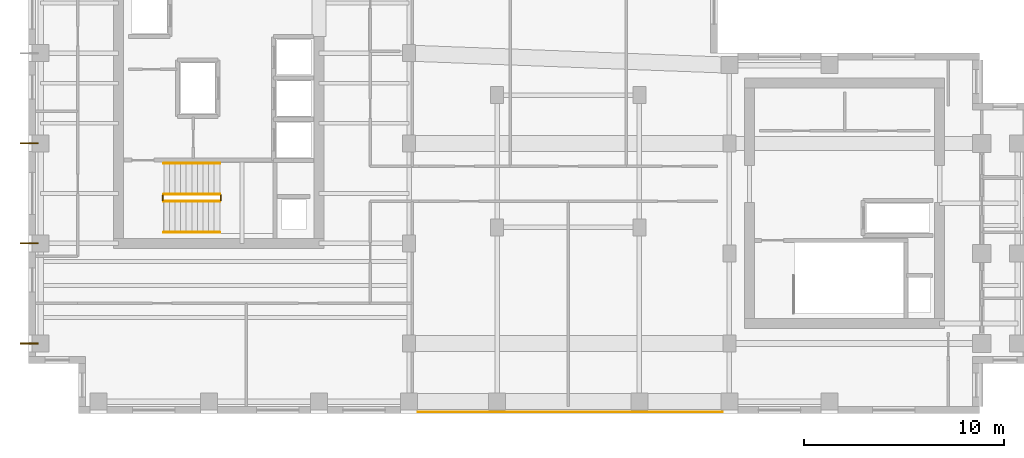
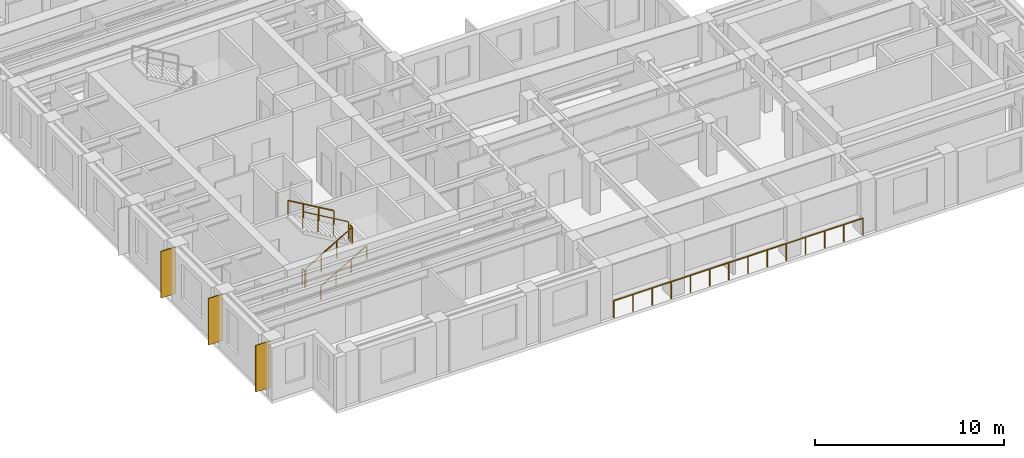
# One storey, part 11 of 13: 7 railings, 3 coverings.
"""IFC4 building model written with IfcOpenShell, lengths in metres."""

import ifcopenshell
import ifcopenshell.guid

model = None  # the IFC model being written
_history = None  # IfcOwnerHistory: only IFC2X3 demands one
_inside = {}  # id of a spatial element -> (the spatial element, [elements in it])
_under = {}  # id of a project, library or spatial element -> (it, [spatial elements below it])
_declared = {}  # id of a project -> (the project, [libraries it declares])
_typed = {}  # id of a type object -> (the type object, [elements of that type])
_made_of = {}  # id of a material, layer set ... -> (it, [elements and type objects made of it])


def new_model(schema):
    """Start an empty IFC model of exactly this schema.

    Asked for "IFC4X3", IfcOpenShell would pick the latest addendum, in which some entities
    have other attributes; the version numbers below select the first issue.
    IFC2X3 requires an IfcOwnerHistory on every rooted entity: one is made here for all.
    """
    global model, _history
    if schema == "IFC4X3":
        model = ifcopenshell.file(schema_version=(4, 3, 0, 0))
    else:
        model = ifcopenshell.file(schema=schema)
    _inside.clear()
    _under.clear()
    _declared.clear()
    _typed.clear()
    _made_of.clear()
    _history = None
    if model.schema == "IFC2X3":
        org = make("IfcOrganization", Name="unknown")
        user = make(
            "IfcPersonAndOrganization",
            ThePerson=make("IfcPerson", FamilyName="unknown"),
            TheOrganization=org,
        )
        app = make(
            "IfcApplication",
            ApplicationDeveloper=org,
            Version="unknown",
            ApplicationFullName="unknown",
            ApplicationIdentifier="unknown",
        )
        _history = make(
            "IfcOwnerHistory",
            OwningUser=user,
            OwningApplication=app,
            ChangeAction="ADDED",
            CreationDate=0,
        )
    return model


def make(cls, **values):
    """One entity of the class cls with the attributes given. An attribute that is None is left unset."""
    return model.create_entity(
        cls, **{name: value for name, value in values.items() if value is not None}
    )


def rooted(cls, **values):
    """An entity with a GlobalId (a new one), such as an element, a storey or a relation."""
    return make(cls, GlobalId=ifcopenshell.guid.new(), OwnerHistory=_history, **values)


def si_unit(unit_type, name, prefix=None):
    """IfcSIUnit, for example si_unit("LENGTHUNIT", "METRE", prefix="MILLI")."""
    return make("IfcSIUnit", UnitType=unit_type, Prefix=prefix, Name=name)


def assignment(units):
    """IfcUnitAssignment: the units of a project."""
    return None if units is None else make("IfcUnitAssignment", Units=units)


def point(xyz):
    """IfcCartesianPoint."""
    return None if xyz is None else make("IfcCartesianPoint", Coordinates=xyz)


def direction(xyz):
    """IfcDirection."""
    return None if xyz is None else make("IfcDirection", DirectionRatios=xyz)


def frame(location, z_axis=None, x_axis=None):
    """IfcAxis2Placement3D, a coordinate frame: its origin and axes. An axis left out is left unset."""
    return make(
        "IfcAxis2Placement3D",
        Location=point(location),
        Axis=direction(z_axis),
        RefDirection=direction(x_axis),
    )


def frame_2d(location, x_axis=None):
    """IfcAxis2Placement2D, a coordinate frame in the plane: its origin and x axis."""
    return make(
        "IfcAxis2Placement2D", Location=point(location), RefDirection=direction(x_axis)
    )


def origin():
    """The frame at (0, 0, 0) with its axes left unset."""
    return frame((0.0, 0.0, 0.0))


def origin_2d():
    """The frame at (0, 0) in the plane with its x axis left unset."""
    return frame_2d((0.0, 0.0))


def place(relative_to, where):
    """IfcLocalPlacement: puts the frame where relative to a parent placement (None: the world)."""
    return make(
        "IfcLocalPlacement", PlacementRelTo=relative_to, RelativePlacement=where
    )


def context(
    kind, dimensions, precision=None, world=None, true_north=None, identifier=None
):
    """IfcGeometricRepresentationContext, for example the 3D "Model" context."""
    return make(
        "IfcGeometricRepresentationContext",
        ContextIdentifier=identifier,
        ContextType=kind,
        CoordinateSpaceDimension=dimensions,
        Precision=precision,
        WorldCoordinateSystem=world,
        TrueNorth=true_north,
    )


def subcontext(parent, identifier, kind, view, scale=None):
    """IfcGeometricRepresentationSubContext, for example "Body" below "Model"."""
    return make(
        "IfcGeometricRepresentationSubContext",
        ContextIdentifier=identifier,
        ContextType=kind,
        ParentContext=parent,
        TargetScale=scale,
        TargetView=view,
    )


def project(units=None, contexts=None):
    """IfcProject with its units and contexts."""
    return rooted(
        "IfcProject",
        Name="project",
        RepresentationContexts=contexts,
        UnitsInContext=assignment(units),
    )


def spatial(cls, under=None, at=None, **own):
    """A site, building, storey or space (cls), placed at a placement, below another one or the project."""
    s = rooted(cls, ObjectPlacement=at, **own)
    if under is not None:
        _under.setdefault(under.id(), (under, []))[1].append(s)
    return s


def profile(cls, at=None, kind="AREA", **sizes):
    """A parametric profile (cls). Its sizes go by their IFC names, for example OverallWidth=200.0."""
    return make(cls, ProfileType=kind, Position=at, **sizes)


def rectangle(**sizes):
    """IfcRectangleProfileDef."""
    return profile("IfcRectangleProfileDef", **sizes)


def circle(**sizes):
    """IfcCircleProfileDef."""
    return profile("IfcCircleProfileDef", **sizes)


def extrude(swept, where, along, depth):
    """IfcExtrudedAreaSolid: the profile swept, set in the frame where, extruded along a direction by depth."""
    return make(
        "IfcExtrudedAreaSolid",
        SweptArea=swept,
        Position=where,
        ExtrudedDirection=direction(along),
        Depth=depth,
    )


def shape(context_of_items, identifier, shape_type, items):
    """IfcShapeRepresentation: the items that make up one representation, for example the "Body"."""
    return make(
        "IfcShapeRepresentation",
        ContextOfItems=context_of_items,
        RepresentationIdentifier=identifier,
        RepresentationType=shape_type,
        Items=items,
    )


def source(mapping_origin, context_of_items, identifier, shape_type, items):
    """IfcRepresentationMap: a shape defined once, which mapped items show again and again."""
    return make(
        "IfcRepresentationMap",
        MappingOrigin=mapping_origin,
        MappedRepresentation=shape(context_of_items, identifier, shape_type, items),
    )


def transform(
    local_origin,
    x_axis=None,
    y_axis=None,
    z_axis=None,
    scale=None,
    scale2=None,
    scale3=None,
    uniform=True,
):
    """IfcCartesianTransformationOperator3D, or its non-uniform kind. x_axis, y_axis, z_axis: its Axis1, 2, 3."""
    if uniform:
        return make(
            "IfcCartesianTransformationOperator3D",
            Axis1=direction(x_axis),
            Axis2=direction(y_axis),
            LocalOrigin=point(local_origin),
            Scale=scale,
            Axis3=direction(z_axis),
        )
    return make(
        "IfcCartesianTransformationOperator3DnonUniform",
        Axis1=direction(x_axis),
        Axis2=direction(y_axis),
        LocalOrigin=point(local_origin),
        Scale=scale,
        Axis3=direction(z_axis),
        Scale2=scale2,
        Scale3=scale3,
    )


def mapped(mapping_source, mapping_target):
    """IfcMappedItem: shows the shape of a source again, moved by a transform."""
    return make(
        "IfcMappedItem", MappingSource=mapping_source, MappingTarget=mapping_target
    )


def material(Name=None, Category=None):
    """IfcMaterial."""
    return make("IfcMaterial", Name=Name, Category=Category)


def layer(
    of_material, thickness, ventilated=None, Name=None, Category=None, Priority=None
):
    """IfcMaterialLayer: one layer of a wall or slab, of a material (None: an air gap)."""
    return make(
        "IfcMaterialLayer",
        Material=of_material,
        LayerThickness=thickness,
        IsVentilated=ventilated,
        Name=Name,
        Category=Category,
        Priority=Priority,
    )


def layer_set(layers, Name=None):
    """IfcMaterialLayerSet."""
    return make("IfcMaterialLayerSet", MaterialLayers=layers, LayerSetName=Name)


def made_of(thing, what):
    """Note that an element or type object is made of a material, layer set ...; save() writes the relation."""
    if what is not None:
        _made_of.setdefault(what.id(), (what, []))[1].append(thing)
    return thing


def type_object(cls, material=None, **own):
    """A type object (cls), such as IfcWallType, which elements share."""
    return made_of(rooted(cls, **own), material)


def element(
    cls,
    number,
    at=None,
    inside=None,
    cuts=None,
    type_object=None,
    material=None,
    context=None,
    identifier="Body",
    shape_type=None,
    held_by="IfcProductDefinitionShape",
    body=None,
    shapes=None,
    **own,
):
    """One element of the class cls, such as IfcWall. Its Tag is "e" and its number.

    at: its placement. inside: the storey or other place that contains it. cuts: it is an
    opening in that element (IfcRelVoidsElement). A single representation is given by context,
    identifier, shape_type and body (its items); several are given by shapes. held_by: the class
    of the entity that holds the representations. save() writes the other relations.
    """
    e = rooted(cls, Tag="e%d" % number, ObjectPlacement=at, **own)
    if body is not None:
        shapes = [shape(context, identifier, shape_type, body)]
    if shapes is not None:
        e.Representation = make(held_by, Representations=shapes)
    if inside is not None:
        _inside.setdefault(inside.id(), (inside, []))[1].append(e)
    if cuts is not None:
        rooted(
            "IfcRelVoidsElement", RelatingBuildingElement=cuts, RelatedOpeningElement=e
        )
    if type_object is not None:
        _typed.setdefault(type_object.id(), (type_object, []))[1].append(e)
    return made_of(e, material)


def aggregate(whole, parts):
    """IfcRelAggregates: a whole, such as a stair, and the parts it consists of."""
    return rooted("IfcRelAggregates", RelatingObject=whole, RelatedObjects=parts)


def save(model, path):
    """Write the relations noted so far, then the file.

    IfcRelAggregates (storeys below a building ...), IfcRelContainedInSpatialStructure (elements
    in a storey), IfcRelDefinesByType, IfcRelAssociatesMaterial and IfcRelDeclares: one each for
    every whole, place, type object, material and project.
    """
    for whole, parts in _under.values():
        aggregate(whole, parts)
    for where, things in _inside.values():
        rooted(
            "IfcRelContainedInSpatialStructure",
            RelatedElements=things,
            RelatingStructure=where,
        )
    for kind, things in _typed.values():
        rooted("IfcRelDefinesByType", RelatedObjects=things, RelatingType=kind)
    for what, things in _made_of.values():
        rooted("IfcRelAssociatesMaterial", RelatedObjects=things, RelatingMaterial=what)
    for by, libraries in _declared.values():
        rooted("IfcRelDeclares", RelatingContext=by, RelatedDefinitions=libraries)
    model.write(path)


model = new_model("IFC4")

# Units and contexts
model_context = context("Model", 3, precision=1e-05, world=origin(), true_north=direction((0.0, 1.0)))
body_context = subcontext(model_context, "Body", "Model", "MODEL_VIEW")
ifc_project = project(units=[si_unit("LENGTHUNIT", "METRE"), si_unit("AREAUNIT", "SQUARE_METRE"), si_unit("VOLUMEUNIT", "CUBIC_METRE"), si_unit("PLANEANGLEUNIT", "RADIAN"), si_unit("MASSUNIT", "GRAM", prefix="KILO")], contexts=[model_context])

# Site, building, storey
site_placement = place(None, origin())
site = spatial("IfcSite", under=ifc_project, at=site_placement, CompositionType="ELEMENT")
building_placement = place(site_placement, origin())
building = spatial("IfcBuilding", under=site, at=building_placement, Name="Kharzan Plaza Tower", CompositionType="ELEMENT")
storey_placement = place(building_placement, frame((0.0, 0.0, 259.199951171875)))
storey = spatial("IfcBuildingStorey", under=building, at=storey_placement, Name="L70", CompositionType="ELEMENT", Elevation=259.199951171875)

# Railings
ifc_material_1 = material(Name="Painted Galvanized Architectural Steel", Category="steel")
ifc_layer_1 = layer(ifc_material_1, 0.074951171875)
ifc_layer_set_1 = layer_set([ifc_layer_1], Name="Painted Galvanized Architectural Steel")
railing_type_1 = type_object("IfcRailingType", Name="RL-GUARD-1120", PredefinedType="BALUSTRADE", material=ifc_layer_set_1)
shared_shape_1 = source(origin(), body_context, "Body", "SweptSolid", [
    extrude(circle(Radius=0.02392578125, at=origin_2d()), frame((0.0, 0.0263671875, 1.09619140625), z_axis=(0.0, 1.0, 0.0), x_axis=(-1.0, 0.0, 0.0)), (0.0, 0.0, 1.0), 0.197021484375),
    extrude(circle(Radius=0.02099609375, at=origin_2d()), origin(), (0.0, 0.0, 1.0), 1.072021484375),
    extrude(circle(Radius=0.02099609375, at=origin_2d()), frame((0.0, 0.25, 0.0)), (0.0, 0.0, 1.0), 1.072021484375),
])
for number, where, name in (
    (1, (9.60009765625, 10.64990234375, 1.800048828125), "L70 ST-1 stair guard 2"),
    (2, (6.699951171875, 10.64990234375, 0.0), "L70 ST-1 stair guard 4"),
):
    element("IfcRailing", number, at=place(storey_placement, frame(where)), inside=storey, type_object=railing_type_1, Name=name, PredefinedType="BALUSTRADE", context=body_context, shape_type="MappedRepresentation", body=[
        mapped(shared_shape_1, transform((0.0, 0.0, 0.0), x_axis=(1.0, 0.0, 0.0), y_axis=(0.0, 1.0, 0.0), z_axis=(0.0, 0.0, 1.0))),
    ])

# Coverings
ifc_material_2 = material(Name="Honed Riyadh Limestone", Category="masonry")
ifc_layer_2 = layer(ifc_material_2, 0.06005859375)
ifc_layer_set_2 = layer_set([ifc_layer_2], Name="Honed Riyadh Limestone")
covering_type = type_object("IfcCoveringType", Name="COV-CLAD-STONE", PredefinedType="CLADDING", material=ifc_layer_set_2)
shared_shape_2 = source(origin(), body_context, "Body", "SweptSolid", [
    extrude(rectangle(XDim=0.06005859375, YDim=0.89990234375, at=origin_2d()), origin(), (0.0, 0.0, 1.0), 3.0),
])
for number, where, z_axis, x_axis, name in (
    (3, (0.02001953125, 13.5, 0.10009765625), (0.0, 0.0, 1.0), (0.0, 1.0, 0.0), "L70 Limestone Pier Rainscreen Cladding TCW-135"),
    (4, (0.02001953125, 3.5, 0.10009765625), (0.0, 0.0, 1.0), (0.0, 1.0, 0.0), "L70 Limestone Pier Rainscreen Cladding TCW-35"),
    (5, (0.02001953125, 8.5, 0.10009765625), (0.0, 0.0, 1.0), (0.0, 1.0, 0.0), "L70 Limestone Pier Rainscreen Cladding TCW-85"),
):
    element("IfcCovering", number, at=place(storey_placement, frame(where, z_axis=z_axis, x_axis=x_axis)), inside=storey, type_object=covering_type, Name=name, PredefinedType="CLADDING", context=body_context, shape_type="MappedRepresentation", body=[
        mapped(shared_shape_2, transform((0.0, 0.0, 0.0), x_axis=(1.0, 0.0, 0.0), y_axis=(0.0, 1.0, 0.0), z_axis=(0.0, 0.0, 1.0))),
    ])

# Railings
shared_shape_3 = source(origin(), body_context, "Body", "SweptSolid", [
    extrude(circle(Radius=0.02392578125, at=origin_2d()), frame((0.02294921875, 0.0, 1.109375), z_axis=(0.863360870873, 0.0, 0.504586966384), x_axis=(0.0, 1.0, 0.0)), (0.0, 0.0, 1.0), 3.190185546875),
    extrude(circle(Radius=0.02099609375, at=origin_2d()), origin(), (0.0, 0.0, 1.0), 1.072021484375),
    extrude(circle(Radius=0.02099609375, at=origin_2d()), frame((0.933349609375, 0.0, 0.54541015625)), (0.0, 0.0, 1.0), 1.072021484375),
    extrude(circle(Radius=0.02099609375, at=origin_2d()), frame((1.86669921875, 0.0, 1.091064453125)), (0.0, 0.0, 1.0), 1.072021484375),
    extrude(circle(Radius=0.02099609375, at=origin_2d()), frame((2.800048828125, 0.0, 1.636474609375)), (0.0, 0.0, 1.0), 1.072021484375),
])
railing_1_placement = place(storey_placement, frame((6.75, 10.60009765625, 0.16357421875)))
element("IfcRailing", 6, at=railing_1_placement, inside=storey, type_object=railing_type_1, Name="L70 ST-1 stair guard 1", PredefinedType="BALUSTRADE", context=body_context, shape_type="MappedRepresentation", body=[
    mapped(shared_shape_3, transform((0.0, 0.0, 0.0), x_axis=(1.0, 0.0, 0.0), y_axis=(0.0, 1.0, 0.0), z_axis=(0.0, 0.0, 1.0))),
])
shared_shape_4 = source(origin(), body_context, "Body", "SweptSolid", [
    extrude(circle(Radius=0.02392578125, at=origin_2d()), frame((-0.02294921875, 0.0, 1.109375), z_axis=(-0.863360870873, 0.0, 0.504586966384), x_axis=(0.0, -1.0, 0.0)), (0.0, 0.0, 1.0), 3.190185546875),
    extrude(circle(Radius=0.02099609375, at=origin_2d()), origin(), (0.0, 0.0, 1.0), 1.072021484375),
    extrude(circle(Radius=0.02099609375, at=origin_2d()), frame((-0.933349609375, 0.0, 0.54541015625)), (0.0, 0.0, 1.0), 1.072021484375),
    extrude(circle(Radius=0.02099609375, at=origin_2d()), frame((-1.86669921875, 0.0, 1.091064453125)), (0.0, 0.0, 1.0), 1.072021484375),
    extrude(circle(Radius=0.02099609375, at=origin_2d()), frame((-2.800048828125, 0.0, 1.636474609375)), (0.0, 0.0, 1.0), 1.072021484375),
])
railing_2_placement = place(storey_placement, frame((9.550048828125, 10.949951171875, 1.963623046875)))
element("IfcRailing", 7, at=railing_2_placement, inside=storey, type_object=railing_type_1, Name="L70 ST-1 stair guard 3", PredefinedType="BALUSTRADE", context=body_context, shape_type="MappedRepresentation", body=[
    mapped(shared_shape_4, transform((0.0, 0.0, 0.0), x_axis=(1.0, 0.0, 0.0), y_axis=(0.0, 1.0, 0.0), z_axis=(0.0, 0.0, 1.0))),
])
ifc_material_3 = material(Name="Brushed Stainless Steel", Category="steel")
ifc_layer_3 = layer(ifc_material_3, 0.050048828125)
ifc_layer_set_3 = layer_set([ifc_layer_3], Name="Brushed Stainless Steel")
railing_type_2 = type_object("IfcRailingType", Name="RL-STAIR-HR920", PredefinedType="HANDRAIL", material=ifc_layer_set_3)
shared_shape_5 = source(origin(), body_context, "Body", "SweptSolid", [
    extrude(circle(Radius=0.02392578125, at=origin_2d()), frame((0.02294921875, 0.0, 0.88916015625), z_axis=(0.863360870873, 0.0, 0.504586966384), x_axis=(0.0, 1.0, 0.0)), (0.0, 0.0, 1.0), 3.190185546875),
    extrude(circle(Radius=0.02099609375, at=origin_2d()), origin(), (0.0, 0.0, 1.0), 0.851806640625),
    extrude(circle(Radius=0.02099609375, at=origin_2d()), frame((0.933349609375, 0.0, 0.54541015625)), (0.0, 0.0, 1.0), 0.851806640625),
    extrude(circle(Radius=0.02099609375, at=origin_2d()), frame((1.86669921875, 0.0, 1.091064453125)), (0.0, 0.0, 1.0), 0.851806640625),
    extrude(circle(Radius=0.02099609375, at=origin_2d()), frame((2.800048828125, 0.0, 1.636474609375)), (0.0, 0.0, 1.0), 0.851806640625),
])
railing_3_placement = place(storey_placement, frame((6.75, 9.050048828125, 0.16357421875)))
element("IfcRailing", 8, at=railing_3_placement, inside=storey, type_object=railing_type_2, Name="L70 ST-1 stair handrail 1", PredefinedType="HANDRAIL", context=body_context, shape_type="MappedRepresentation", body=[
    mapped(shared_shape_5, transform((0.0, 0.0, 0.0), x_axis=(1.0, 0.0, 0.0), y_axis=(0.0, 1.0, 0.0), z_axis=(0.0, 0.0, 1.0))),
])
shared_shape_6 = source(origin(), body_context, "Body", "SweptSolid", [
    extrude(circle(Radius=0.02392578125, at=origin_2d()), frame((-0.02294921875, 0.0, 0.88916015625), z_axis=(-0.863360870873, 0.0, 0.504586966384), x_axis=(0.0, -1.0, 0.0)), (0.0, 0.0, 1.0), 3.190185546875),
    extrude(circle(Radius=0.02099609375, at=origin_2d()), origin(), (0.0, 0.0, 1.0), 0.851806640625),
    extrude(circle(Radius=0.02099609375, at=origin_2d()), frame((-0.933349609375, 0.0, 0.54541015625)), (0.0, 0.0, 1.0), 0.851806640625),
    extrude(circle(Radius=0.02099609375, at=origin_2d()), frame((-1.86669921875, 0.0, 1.091064453125)), (0.0, 0.0, 1.0), 0.851806640625),
    extrude(circle(Radius=0.02099609375, at=origin_2d()), frame((-2.800048828125, 0.0, 1.636474609375)), (0.0, 0.0, 1.0), 0.851806640625),
])
railing_4_placement = place(storey_placement, frame((9.550048828125, 12.5, 1.963623046875)))
element("IfcRailing", 9, at=railing_4_placement, inside=storey, type_object=railing_type_2, Name="L70 ST-1 stair handrail 2", PredefinedType="HANDRAIL", context=body_context, shape_type="MappedRepresentation", body=[
    mapped(shared_shape_6, transform((0.0, 0.0, 0.0), x_axis=(1.0, 0.0, 0.0), y_axis=(0.0, 1.0, 0.0), z_axis=(0.0, 0.0, 1.0))),
])
shared_shape_7 = source(origin(), body_context, "Body", "SweptSolid", [
    extrude(circle(Radius=0.02392578125, at=origin_2d()), frame((0.0263671875, 0.0, 1.09619140625), z_axis=(1.0, 0.0, 0.0), x_axis=(0.0, 1.0, 0.0)), (0.0, 0.0, 1.0), 15.14697265625),
    extrude(circle(Radius=0.02099609375, at=origin_2d()), origin(), (0.0, 0.0, 1.0), 1.072021484375),
    extrude(circle(Radius=0.02099609375, at=origin_2d()), frame((1.169189453125, 0.0, 0.0)), (0.0, 0.0, 1.0), 1.072021484375),
    extrude(circle(Radius=0.02099609375, at=origin_2d()), frame((2.33837890625, 0.0, 0.0)), (0.0, 0.0, 1.0), 1.072021484375),
    extrude(circle(Radius=0.02099609375, at=origin_2d()), frame((3.507568359375, 0.0, 0.0)), (0.0, 0.0, 1.0), 1.072021484375),
    extrude(circle(Radius=0.02099609375, at=origin_2d()), frame((4.677001953125, 0.0, 0.0)), (0.0, 0.0, 1.0), 1.072021484375),
    extrude(circle(Radius=0.02099609375, at=origin_2d()), frame((5.84619140625, 0.0, 0.0)), (0.0, 0.0, 1.0), 1.072021484375),
    extrude(circle(Radius=0.02099609375, at=origin_2d()), frame((7.015380859375, 0.0, 0.0)), (0.0, 0.0, 1.0), 1.072021484375),
    extrude(circle(Radius=0.02099609375, at=origin_2d()), frame((8.1845703125, 0.0, 0.0)), (0.0, 0.0, 1.0), 1.072021484375),
    extrude(circle(Radius=0.02099609375, at=origin_2d()), frame((9.353759765625, 0.0, 0.0)), (0.0, 0.0, 1.0), 1.072021484375),
    extrude(circle(Radius=0.02099609375, at=origin_2d()), frame((10.52294921875, 0.0, 0.0)), (0.0, 0.0, 1.0), 1.072021484375),
    extrude(circle(Radius=0.02099609375, at=origin_2d()), frame((11.6923828125, 0.0, 0.0)), (0.0, 0.0, 1.0), 1.072021484375),
    extrude(circle(Radius=0.02099609375, at=origin_2d()), frame((12.861572265625, 0.0, 0.0)), (0.0, 0.0, 1.0), 1.072021484375),
    extrude(circle(Radius=0.02099609375, at=origin_2d()), frame((14.03076171875, 0.0, 0.0)), (0.0, 0.0, 1.0), 1.072021484375),
    extrude(circle(Radius=0.02099609375, at=origin_2d()), frame((15.199951171875, 0.0, 0.0)), (0.0, 0.0, 1.0), 1.072021484375),
])
railing_5_placement = place(storey_placement, frame((19.449951171875, 0.080078125, 0.0)))
element("IfcRailing", 10, at=railing_5_placement, inside=storey, type_object=railing_type_1, Name="L70 South Cap-Transfer Edge Safety Guard Balustrade", PredefinedType="BALUSTRADE", context=body_context, shape_type="MappedRepresentation", body=[
    mapped(shared_shape_7, transform((0.0, 0.0, 0.0), x_axis=(1.0, 0.0, 0.0), y_axis=(0.0, 1.0, 0.0), z_axis=(0.0, 0.0, 1.0))),
])

save(model, "model.ifc")
